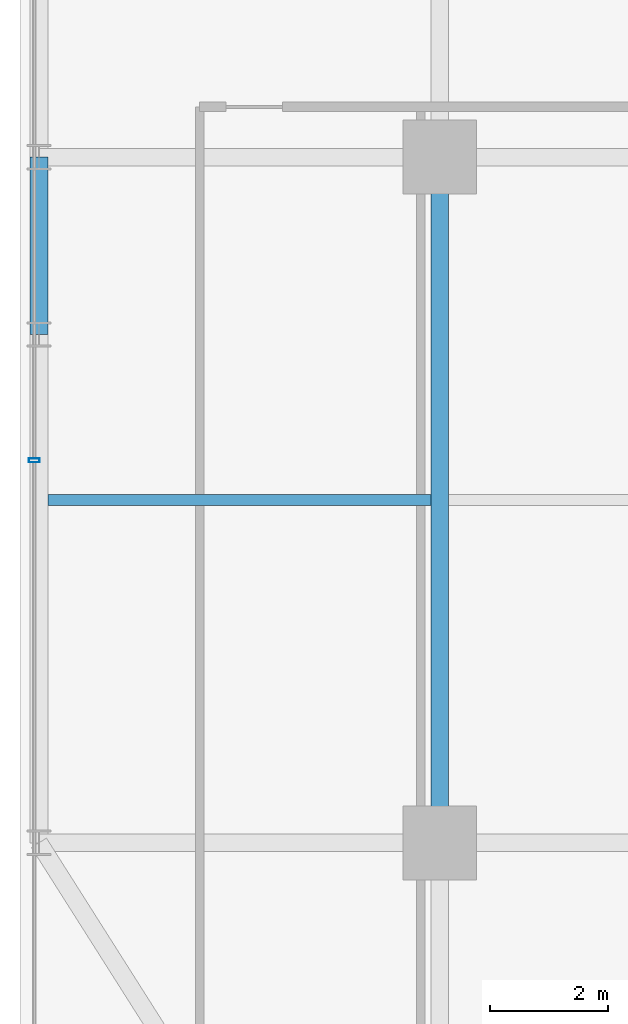
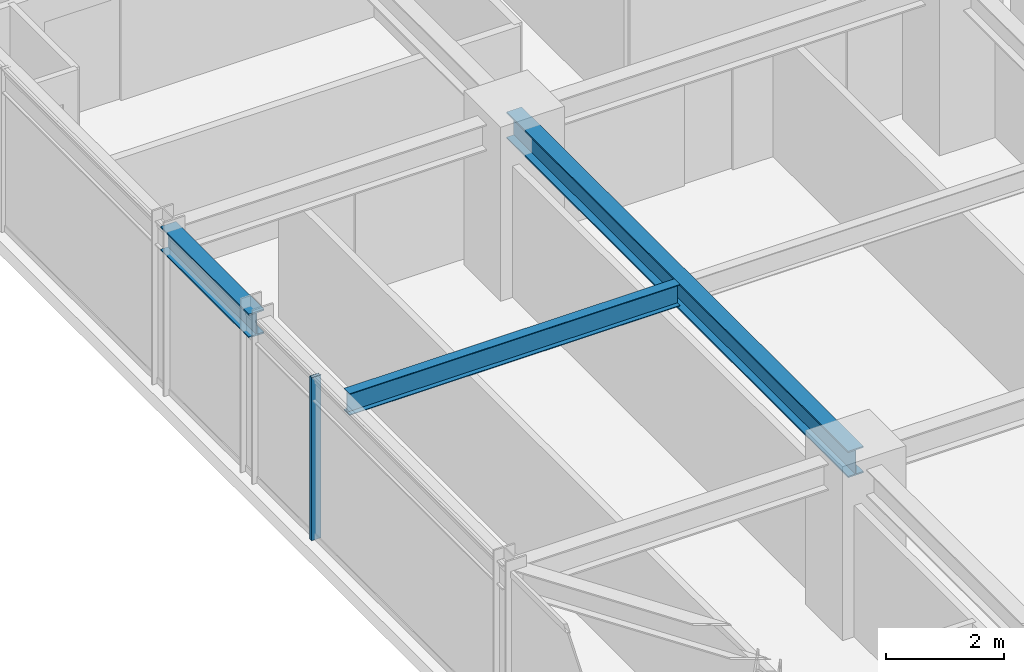
# One storey, part 7 of 32: 3 beams, 1 member, 1 element without a shape of its own.
"""IFC4 building model written with IfcOpenShell, lengths in metres."""

from ifc_helpers import new_model, si_unit, direction, frame, origin, origin_2d, place, context, subcontext, project, spatial, hollow_rectangle, i_section, extrude, source, transform, mapped, material, material_profile, profile_set, type_object, element, aggregate, save


model = new_model("IFC4")

# Units and contexts
model_context = context("Model", 3, precision=1e-05, world=origin(), true_north=direction((0.0, 1.0)))
body_context = subcontext(model_context, "Body", "Model", "MODEL_VIEW")
ifc_project = project(units=[si_unit("LENGTHUNIT", "METRE"), si_unit("AREAUNIT", "SQUARE_METRE"), si_unit("VOLUMEUNIT", "CUBIC_METRE"), si_unit("PLANEANGLEUNIT", "RADIAN"), si_unit("MASSUNIT", "GRAM", prefix="KILO")], contexts=[model_context])

# Site, building, storey
site_placement = place(None, origin())
site = spatial("IfcSite", under=ifc_project, at=site_placement, CompositionType="ELEMENT")
building_placement = place(site_placement, origin())
building = spatial("IfcBuilding", under=site, at=building_placement, Name="Nahalor Promenade Grand Hotel", CompositionType="ELEMENT")
storey_placement = place(building_placement, frame((0.0, 0.0, 102.89990234375)))
storey = spatial("IfcBuildingStorey", under=building, at=storey_placement, Name="L25", CompositionType="ELEMENT", Elevation=102.89990234375)

# Beams
ifc_material_1 = material(Name="Steel S355JR", Category="steel")
ifc_material_profile_1 = material_profile(ifc_material_1, i_section(OverallWidth=0.3, OverallDepth=0.5, WebThickness=0.0145, FlangeThickness=0.028, at=origin_2d()), Name="HEB 500")
ifc_profile_set_1 = profile_set([ifc_material_profile_1], Name="Steel S355JR")
beam_type_1 = type_object("IfcBeamType", Name="Beam-Spandrel-HEB500", PredefinedType="SPANDREL", material=ifc_profile_set_1)
shared_shape_1 = source(origin(), body_context, "Body", "SweptSolid", [
    extrude(i_section(OverallWidth=0.3, OverallDepth=0.5, WebThickness=0.0145, FlangeThickness=0.028, at=origin_2d()), origin(), (0.0, 0.0, 1.0), 3.0),
])
beam_1_placement = place(storey_placement, frame((-23.780029296875, -8.39990234375, 3.130126953125), z_axis=(0.0, 1.0, 0.0), x_axis=(-1.0, 0.0, 0.0)))
element("IfcBeam", 1, at=beam_1_placement, inside=storey, type_object=beam_type_1, Name="BM-L25-SP-W-1", PredefinedType="SPANDREL", context=body_context, shape_type="MappedRepresentation", body=[
    mapped(shared_shape_1, transform((0.0, 0.0, 0.0), scale=1.0)),
])
ifc_material_profile_2 = material_profile(ifc_material_1, i_section(OverallWidth=0.3, OverallDepth=0.55, WebThickness=0.015, FlangeThickness=0.029, at=origin_2d()), Name="HEB 550")
ifc_profile_set_2 = profile_set([ifc_material_profile_2], Name="Steel S355JR")
beam_type_2 = type_object("IfcBeamType", Name="Beam-Girder-HEB550", PredefinedType="BEAM", material=ifc_profile_set_2)
shared_shape_2 = source(origin(), body_context, "Body", "SweptSolid", [
    extrude(i_section(OverallWidth=0.3, OverallDepth=0.55, WebThickness=0.015, FlangeThickness=0.029, at=origin_2d()), origin(), (0.0, 0.0, 1.0), 11.60009765625),
])
beam_2_placement = place(storey_placement, frame((-17.0, -17.0, 3.10498046875), z_axis=(0.0, 1.0, 0.0), x_axis=(-1.0, 0.0, 0.0)))
element("IfcBeam", 2, at=beam_2_placement, inside=storey, type_object=beam_type_2, Name="BM-L25-GY-0-1", PredefinedType="BEAM", context=body_context, shape_type="MappedRepresentation", body=[
    mapped(shared_shape_2, transform((0.0, 0.0, 0.0), scale=1.0)),
])
ifc_material_profile_3 = material_profile(ifc_material_1, i_section(OverallWidth=0.19, OverallDepth=0.45, WebThickness=0.0094, FlangeThickness=0.0146, at=origin_2d()), Name="IPE 450")
ifc_profile_set_3 = profile_set([ifc_material_profile_3], Name="Steel S355JR")
beam_type_3 = type_object("IfcBeamType", Name="Beam-Joist-IPE450", PredefinedType="JOIST", material=ifc_profile_set_3)
shared_shape_3 = source(origin(), body_context, "Body", "SweptSolid", [
    extrude(i_section(OverallWidth=0.19, OverallDepth=0.45, WebThickness=0.0094, FlangeThickness=0.0146, at=origin_2d()), origin(), (0.0, 0.0, 1.0), 6.47998046875),
])
beam_3_placement = place(storey_placement, frame((-23.6298828125, -11.199951171875, 3.155029296875), z_axis=(1.0, 0.0, 0.0), x_axis=(0.0, 1.0, 0.0)))
element("IfcBeam", 3, at=beam_3_placement, inside=storey, type_object=beam_type_3, Name="BM-L25-JSW-0-0", PredefinedType="JOIST", context=body_context, shape_type="MappedRepresentation", body=[
    mapped(shared_shape_3, transform((0.0, 0.0, 0.0), scale=1.0)),
])

# Curtain wall, member
ifc_material_2 = material(Name="Anodised Bronze Aluminium EN AW-6063 T6", Category="aluminium")
curtain_wall_type = type_object("IfcCurtainWallType", Name="CW2 Typical Hotel Flush Bronze Unitised Curtain Wall", PredefinedType="USERDEFINED", material=ifc_material_2)
curtain_wall_placement = place(storey_placement, origin())
curtain_wall = element("IfcCurtainWall", 4, at=curtain_wall_placement, inside=storey, type_object=curtain_wall_type, Name="L25 Curtain Wall CW-L25-W-1", ObjectType="UNITISED_CURTAIN_WALL", PredefinedType="USERDEFINED")
ifc_material_profile_4 = material_profile(ifc_material_2, hollow_rectangle(XDim=0.065, YDim=0.18, WallThickness=0.004, at=origin_2d()), Name="CWM 65x180x4")
ifc_profile_set_4 = profile_set([ifc_material_profile_4], Name="Anodised Bronze Aluminium EN AW-6063 T6")
member_type = type_object("IfcMemberType", Name="CWM2 Typical Bronze Mullion 65x180", PredefinedType="MULLION", material=ifc_profile_set_4)
shared_shape_4 = source(origin(), body_context, "Body", "SweptSolid", [
    extrude(hollow_rectangle(XDim=0.065, YDim=0.18, WallThickness=0.004, at=origin_2d()), origin(), (0.0, 0.0, 1.0), 3.380126953125),
])
member_placement = place(storey_placement, frame((-23.860107421875, -10.530029296875, 0.0), z_axis=(0.0, 0.0, 1.0), x_axis=(0.0, 1.0, 0.0)))
member = element("IfcMember", 5, at=member_placement, type_object=member_type, Name="CW-L25-W-1 Mullion 1", PredefinedType="MULLION", context=body_context, shape_type="MappedRepresentation", body=[
    mapped(shared_shape_4, transform((0.0, 0.0, 0.0), scale=1.0)),
])
aggregate(curtain_wall, [member])

save(model, "model.ifc")
